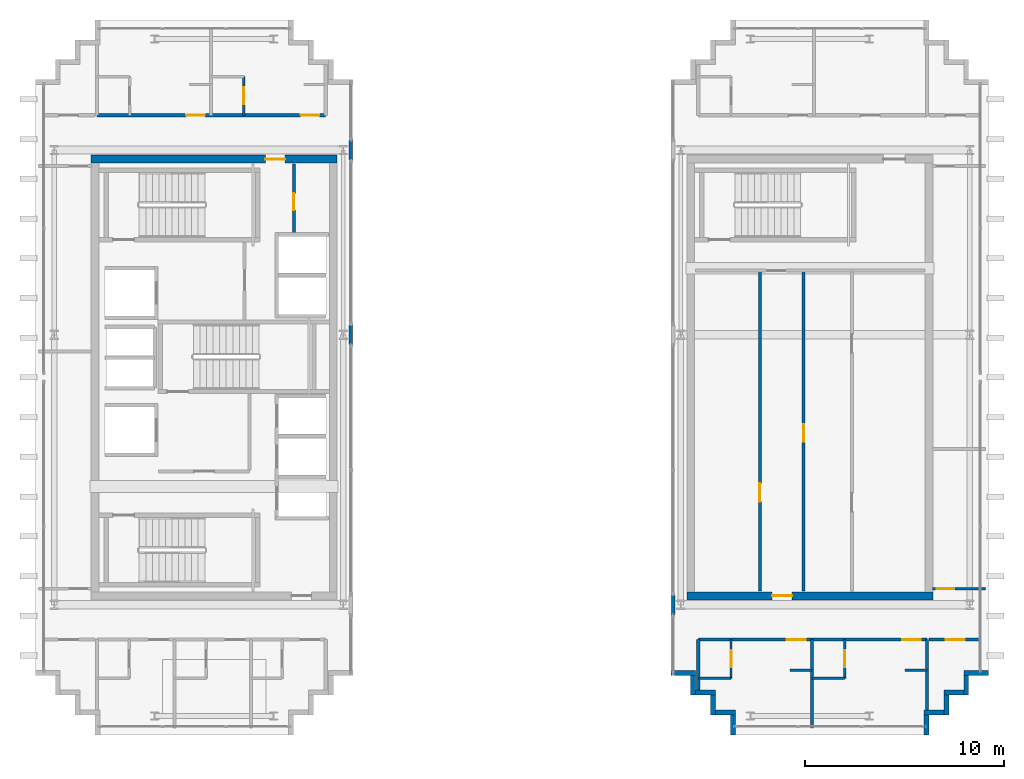
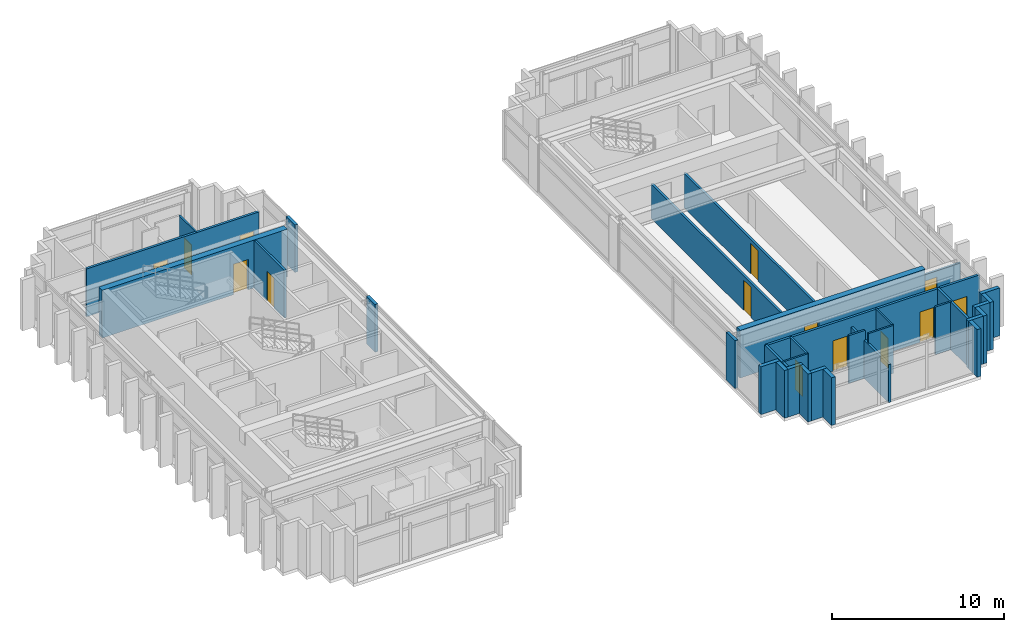
# One storey, part 21 of 25: 34 walls, 14 doors, 14 openings.
"""IFC4 building model written with IfcOpenShell, lengths in metres."""

from ifc_helpers import new_model, si_unit, direction, frame, frame_2d, origin, place, context, subcontext, project, spatial, rectangle, extrude, source, transform, mapped, material, layer, layer_set, type_object, element, fill, save


model = new_model("IFC4")

# Units and contexts
model_context = context("Model", 3, precision=1e-05, world=origin(), true_north=direction((0.0, 1.0)))
body_context = subcontext(model_context, "Body", "Model", "MODEL_VIEW")
ifc_project = project(units=[si_unit("LENGTHUNIT", "METRE"), si_unit("AREAUNIT", "SQUARE_METRE"), si_unit("VOLUMEUNIT", "CUBIC_METRE"), si_unit("PLANEANGLEUNIT", "RADIAN"), si_unit("MASSUNIT", "GRAM", prefix="KILO")], contexts=[model_context])

# Site, building, storey
site_placement = place(None, origin())
site = spatial("IfcSite", under=ifc_project, at=site_placement, CompositionType="ELEMENT")
building_placement = place(site_placement, origin())
building = spatial("IfcBuilding", under=site, at=building_placement, Name="Ocotamira Hotel", CompositionType="ELEMENT")
storey_placement = place(building_placement, frame((0.0, 0.0, 254.39990234375)))
storey = spatial("IfcBuildingStorey", under=building, at=storey_placement, Name="L64", CompositionType="ELEMENT", Elevation=254.39990234375)

# Wall, opening, door
ifc_material_1 = material(Name="Concrete C50/60", Category="concrete")
ifc_layer_1 = layer(ifc_material_1, 0.39990234375)
ifc_layer_set_1 = layer_set([ifc_layer_1], Name="Concrete C50/60")
wall_type_1 = type_object("IfcWallType", Name="WL-CORE-400", PredefinedType="SHEAR", material=ifc_layer_set_1)
wall_1_placement = place(storey_placement, frame((10.800048828125, 37.0, 0.0), z_axis=(0.0, 0.0, 1.0), x_axis=(1.0, 0.0, 0.0)))
wall_1 = element("IfcWall", 1, at=wall_1_placement, inside=storey, type_object=wall_type_1, Name="L64 Shear Core Wall WCORE-N", PredefinedType="SHEAR", context=body_context, shape_type="SweptSolid", body=[
    extrude(rectangle(XDim=12.39990234375, YDim=0.39990234375, at=frame_2d((6.199951171875, 0.0))), origin(), (0.0, 0.0, 1.0), 3.380126953125),
])
opening_1_placement = place(wall_1_placement, frame((8.780029296875, 0.0, 0.0)))
opening_1 = element("IfcOpeningElement", 2, at=opening_1_placement, cuts=wall_1, Name="Opening D-FR2", PredefinedType="OPENING", context=body_context, shape_type="SweptSolid", body=[
    extrude(rectangle(XDim=1.0, YDim=2.14990234375, at=frame_2d((0.5, 1.074951171875))), frame((0.0, 0.2099609375, 0.0), z_axis=(0.0, -1.0, 0.0), x_axis=(1.0, 0.0, 0.0)), (0.0, 0.0, 1.0), 0.419921875),
])
ifc_material_2 = material(Name="Fire-rated acoustic timber-veneer door", Category="wood")
door_type_1 = type_object("IfcDoorType", Name="DR-FIRE-1000", OperationType="NOTDEFINED", PredefinedType="DOOR", material=ifc_material_2)
shared_shape_1 = source(origin(), body_context, "Body", "SweptSolid", [
    extrude(rectangle(XDim=1.0, YDim=2.14990234375, at=frame_2d((0.5, 1.074951171875))), frame((0.0, 0.02490234375, 0.0), z_axis=(0.0, -1.0, 0.0), x_axis=(1.0, 0.0, 0.0)), (0.0, 0.0, 1.0), 0.050048828125),
])
door_1_placement = place(opening_1_placement, origin())
door_1 = element("IfcDoor", 3, at=door_1_placement, inside=storey, type_object=door_type_1, Name="L64 Door ID-L64-WLOB-N-D [ID-L64-WLOB-N-D]", OperationType="SINGLE_SWING_RIGHT", OverallHeight=2.14990234375, OverallWidth=1.0, PredefinedType="DOOR", context=body_context, shape_type="MappedRepresentation", body=[
    mapped(shared_shape_1, transform((0.0, 0.0, 0.0), scale=1.0)),
])
fill(opening_1, door_1)

wall_2_placement = place(storey_placement, frame((40.800048828125, 15.0, 0.0), z_axis=(0.0, 0.0, 1.0), x_axis=(1.0, 0.0, 0.0)))
wall_2 = element("IfcWall", 4, at=wall_2_placement, inside=storey, type_object=wall_type_1, Name="L64 Shear Core Wall ECORE-S", PredefinedType="SHEAR", context=body_context, shape_type="SweptSolid", body=[
    extrude(rectangle(XDim=12.39990234375, YDim=0.39990234375, at=frame_2d((6.199951171875, 0.0))), origin(), (0.0, 0.0, 1.0), 3.380126953125),
])
opening_2_placement = place(wall_2_placement, frame((4.300048828125, 0.0, 0.0)))
opening_2 = element("IfcOpeningElement", 5, at=opening_2_placement, cuts=wall_2, Name="Opening D-FR2", PredefinedType="OPENING", context=body_context, shape_type="SweptSolid", body=[
    extrude(rectangle(XDim=1.0, YDim=2.14990234375, at=frame_2d((0.5, 1.074951171875))), frame((0.0, 0.2099609375, 0.0), z_axis=(0.0, -1.0, 0.0), x_axis=(1.0, 0.0, 0.0)), (0.0, 0.0, 1.0), 0.419921875),
])
door_2_placement = place(opening_2_placement, origin())
door_2 = element("IfcDoor", 6, at=door_2_placement, inside=storey, type_object=door_type_1, Name="L64 Door ID-L64-ELOB-S-D [ID-L64-ELOB-S-D]", OperationType="SINGLE_SWING_RIGHT", OverallHeight=2.14990234375, OverallWidth=1.0, PredefinedType="DOOR", context=body_context, shape_type="MappedRepresentation", body=[
    mapped(shared_shape_1, transform((0.0, 0.0, 0.0), scale=1.0)),
])
fill(opening_2, door_2)

# Walls
ifc_material_3 = material(Name="Precast concrete C45/55", Category="concrete")
ifc_layer_2 = layer(ifc_material_3, 0.25)
ifc_layer_set_2 = layer_set([ifc_layer_2], Name="Precast concrete C45/55")
wall_type_2 = type_object("IfcWallType", Name="WL-EXT-SER-250", PredefinedType="SOLIDWALL", material=ifc_layer_set_2)
for number, where, z_axis, x_axis, name in (
    (7, (52.875, 8.0, 0.0), (0.0, 0.0, 1.0), (0.0, 1.0, 0.0), "L64 -E Serrated Corner Wall 01"),
    (8, (52.75, 9.125, 0.0), (0.0, 0.0, 1.0), (1.0, 0.0, 0.0), "L64 -E Serrated Corner Wall 02"),
    (9, (53.875, 9.0, 0.0), (0.0, 0.0, 1.0), (0.0, 1.0, 0.0), "L64 -E Serrated Corner Wall 03"),
    (10, (53.75, 10.125, 0.0), (0.0, 0.0, 1.0), (1.0, 0.0, 0.0), "L64 -E Serrated Corner Wall 04"),
    (11, (54.875, 10.0, 0.0), (0.0, 0.0, 1.0), (0.0, 1.0, 0.0), "L64 -E Serrated Corner Wall 05"),
):
    element("IfcWall", number, at=place(storey_placement, frame(where, z_axis=z_axis, x_axis=x_axis)), inside=storey, type_object=wall_type_2, Name=name, PredefinedType="SOLIDWALL", context=body_context, shape_type="SweptSolid", body=[
        extrude(rectangle(XDim=1.0, YDim=0.25, at=frame_2d((0.5, 0.0))), origin(), (0.0, 0.0, 1.0), 3.380126953125),
    ])
for number, where, z_axis, x_axis, name in (
    (12, (54.75, 11.125, 0.0), (0.0, 0.0, 1.0), (1.0, 0.0, 0.0), "L64 -E Serrated Corner Wall 06"),
    (13, (40.0, 11.125, 0.0), (0.0, 0.0, 1.0), (1.0, 0.0, 0.0), "L64 -E Serrated Corner Wall 19"),
):
    element("IfcWall", number, at=place(storey_placement, frame(where, z_axis=z_axis, x_axis=x_axis)), inside=storey, type_object=wall_type_2, Name=name, PredefinedType="SOLIDWALL", context=body_context, shape_type="SweptSolid", body=[
        extrude(rectangle(XDim=1.25, YDim=0.25, at=frame_2d((0.625, 0.0))), origin(), (0.0, 0.0, 1.0), 3.380126953125),
    ])
for number, where, z_axis, x_axis, name in (
    (14, (41.125, 11.0, 0.0), (0.0, 0.0, 1.0), (0.0, -1.0, 0.0), "L64 -E Serrated Corner Wall 20"),
    (15, (41.25, 10.125, 0.0), (0.0, 0.0, 1.0), (1.0, 0.0, 0.0), "L64 -E Serrated Corner Wall 21"),
    (16, (42.125, 10.0, 0.0), (0.0, 0.0, 1.0), (0.0, -1.0, 0.0), "L64 -E Serrated Corner Wall 22"),
    (17, (42.25, 9.125, 0.0), (0.0, 0.0, 1.0), (1.0, 0.0, 0.0), "L64 -E Serrated Corner Wall 23"),
    (18, (43.125, 9.0, 0.0), (0.0, 0.0, 1.0), (0.0, -1.0, 0.0), "L64 -E Serrated Corner Wall 24"),
):
    element("IfcWall", number, at=place(storey_placement, frame(where, z_axis=z_axis, x_axis=x_axis)), inside=storey, type_object=wall_type_2, Name=name, PredefinedType="SOLIDWALL", context=body_context, shape_type="SweptSolid", body=[
        extrude(rectangle(XDim=1.0, YDim=0.25, at=frame_2d((0.5, 0.0))), origin(), (0.0, 0.0, 1.0), 3.380126953125),
    ])

# Wall, openings, doors
ifc_material_4 = material(Name="Acoustic double-layer fire gypsum board partition", Category="gypsum")
ifc_layer_3 = layer(ifc_material_4, 0.159912109375)
ifc_layer_set_3 = layer_set([ifc_layer_3], Name="Acoustic double-layer fire gypsum board partition")
wall_type_3 = type_object("IfcWallType", Name="WL-FIRE-160", PredefinedType="PARTITIONING", material=ifc_layer_set_3)
wall_3_placement = place(storey_placement, frame((11.10009765625, 39.199951171875, 0.0), z_axis=(0.0, 0.0, 1.0), x_axis=(1.0, 0.0, 0.0)))
wall_3 = element("IfcWall", 19, at=wall_3_placement, inside=storey, type_object=wall_type_3, Name="L64 Interior Wall PW-L64-SPW0N-CORRW", PredefinedType="PARTITIONING", context=body_context, shape_type="SweptSolid", body=[
    extrude(rectangle(XDim=11.52001953125, YDim=0.159912109375, at=frame_2d((5.760009765625, 0.0))), origin(), (0.0, 0.0, 1.0), 3.380126953125),
])
opening_3_placement = place(wall_3_placement, frame((4.489990234375, 0.0, 0.0)))
opening_3 = element("IfcOpeningElement", 20, at=opening_3_placement, cuts=wall_3, Name="Opening D-GR1", PredefinedType="OPENING", context=body_context, shape_type="SweptSolid", body=[
    extrude(rectangle(XDim=0.93994140625, YDim=2.14990234375, at=frame_2d((0.469970703125, 1.074951171875))), frame((0.0, 0.08984375, 0.0), z_axis=(0.0, -1.0, 0.0), x_axis=(1.0, 0.0, 0.0)), (0.0, 0.0, 1.0), 0.179931640625),
])
opening_4_placement = place(wall_3_placement, frame((10.260009765625, 0.0, 0.0)))
opening_4 = element("IfcOpeningElement", 21, at=opening_4_placement, cuts=wall_3, Name="Opening D-GR1", PredefinedType="OPENING", context=body_context, shape_type="SweptSolid", body=[
    extrude(rectangle(XDim=0.93994140625, YDim=2.14990234375, at=frame_2d((0.469970703125, 1.074951171875))), frame((0.0, 0.08984375, 0.0), z_axis=(0.0, -1.0, 0.0), x_axis=(1.0, 0.0, 0.0)), (0.0, 0.0, 1.0), 0.179931640625),
])
ifc_material_5 = material(Name="Solid-core walnut suite entrance fire door", Category="wood")
door_type_2 = type_object("IfcDoorType", Name="DR-GUEST-940", OperationType="NOTDEFINED", PredefinedType="DOOR", material=ifc_material_5)
shared_shape_2 = source(origin(), body_context, "Body", "SweptSolid", [
    extrude(rectangle(XDim=0.93994140625, YDim=2.14990234375, at=frame_2d((0.469970703125, 1.074951171875))), frame((0.0, 0.02490234375, 0.0), z_axis=(0.0, -1.0, 0.0), x_axis=(1.0, 0.0, 0.0)), (0.0, 0.0, 1.0), 0.050048828125),
])
door_3_placement = place(opening_3_placement, origin())
door_3 = element("IfcDoor", 22, at=door_3_placement, inside=storey, type_object=door_type_2, Name="L64 Door ID-L64-SPW0N-RMD1 [ID-L64-SPW0N-RMD1]", OperationType="SINGLE_SWING_LEFT", OverallHeight=2.14990234375, OverallWidth=0.93994140625, PredefinedType="DOOR", context=body_context, shape_type="MappedRepresentation", body=[
    mapped(shared_shape_2, transform((0.0, 0.0, 0.0), scale=1.0)),
])
fill(opening_3, door_3)
door_4_placement = place(opening_4_placement, origin())
door_4 = element("IfcDoor", 23, at=door_4_placement, inside=storey, type_object=door_type_2, Name="L64 Door ID-L64-SPW0N-RMD2 [ID-L64-SPW0N-RMD2]", OperationType="SINGLE_SWING_RIGHT", OverallHeight=2.14990234375, OverallWidth=0.93994140625, PredefinedType="DOOR", context=body_context, shape_type="MappedRepresentation", body=[
    mapped(shared_shape_2, transform((0.0, 0.0, 0.0), scale=1.0)),
])
fill(opening_4, door_4)

wall_4_placement = place(storey_placement, frame((41.3798828125, 12.800048828125, 0.0), z_axis=(0.0, 0.0, 1.0), x_axis=(1.0, 0.0, 0.0)))
wall_4 = element("IfcWall", 24, at=wall_4_placement, inside=storey, type_object=wall_type_3, Name="L64 Interior Wall PW-L64-SPE0S-CORRW", PredefinedType="PARTITIONING", context=body_context, shape_type="SweptSolid", body=[
    extrude(rectangle(XDim=11.52001953125, YDim=0.159912109375, at=frame_2d((5.760009765625, 0.0))), origin(), (0.0, 0.0, 1.0), 3.380126953125),
])
opening_5_placement = place(wall_4_placement, frame((4.4599609375, 0.0, 0.0)))
opening_5 = element("IfcOpeningElement", 25, at=opening_5_placement, cuts=wall_4, Name="Opening D-GR1", PredefinedType="OPENING", context=body_context, shape_type="SweptSolid", body=[
    extrude(rectangle(XDim=0.93994140625, YDim=2.14990234375, at=frame_2d((0.469970703125, 1.074951171875))), frame((0.0, 0.08984375, 0.0), z_axis=(0.0, -1.0, 0.0), x_axis=(1.0, 0.0, 0.0)), (0.0, 0.0, 1.0), 0.179931640625),
])
opening_6_placement = place(wall_4_placement, frame((10.260009765625, 0.0, 0.0)))
opening_6 = element("IfcOpeningElement", 26, at=opening_6_placement, cuts=wall_4, Name="Opening D-GR1", PredefinedType="OPENING", context=body_context, shape_type="SweptSolid", body=[
    extrude(rectangle(XDim=0.93994140625, YDim=2.14990234375, at=frame_2d((0.469970703125, 1.074951171875))), frame((0.0, 0.08984375, 0.0), z_axis=(0.0, -1.0, 0.0), x_axis=(1.0, 0.0, 0.0)), (0.0, 0.0, 1.0), 0.179931640625),
])
door_5_placement = place(opening_5_placement, origin())
door_5 = element("IfcDoor", 27, at=door_5_placement, inside=storey, type_object=door_type_2, Name="L64 Door ID-L64-SPE0S-RMD1 [ID-L64-SPE0S-RMD1]", OperationType="SINGLE_SWING_LEFT", OverallHeight=2.14990234375, OverallWidth=0.93994140625, PredefinedType="DOOR", context=body_context, shape_type="MappedRepresentation", body=[
    mapped(shared_shape_2, transform((0.0, 0.0, 0.0), scale=1.0)),
])
fill(opening_5, door_5)
door_6_placement = place(opening_6_placement, origin())
door_6 = element("IfcDoor", 28, at=door_6_placement, inside=storey, type_object=door_type_2, Name="L64 Door ID-L64-SPE0S-RMD2 [ID-L64-SPE0S-RMD2]", OperationType="SINGLE_SWING_RIGHT", OverallHeight=2.14990234375, OverallWidth=0.93994140625, PredefinedType="DOOR", context=body_context, shape_type="MappedRepresentation", body=[
    mapped(shared_shape_2, transform((0.0, 0.0, 0.0), scale=1.0)),
])
fill(opening_6, door_6)

# Wall, opening, door
wall_5_placement = place(storey_placement, frame((53.0, 12.800048828125, 0.0), z_axis=(0.0, 0.0, 1.0), x_axis=(1.0, 0.0, 0.0)))
wall_5 = element("IfcWall", 29, at=wall_5_placement, inside=storey, type_object=wall_type_3, Name="L64 Interior Wall PW-L64-SPCSE0-CW", PredefinedType="PARTITIONING", context=body_context, shape_type="SweptSolid", body=[
    extrude(rectangle(XDim=2.64990234375, YDim=0.159912109375, at=frame_2d((1.324951171875, 0.0))), origin(), (0.0, 0.0, 1.0), 3.380126953125),
])
opening_7_placement = place(wall_5_placement, frame((0.844970703125, 0.0, 0.0)))
opening_7 = element("IfcOpeningElement", 30, at=opening_7_placement, cuts=wall_5, Name="Opening D-SV4", PredefinedType="OPENING", context=body_context, shape_type="SweptSolid", body=[
    extrude(rectangle(XDim=0.9599609375, YDim=2.14990234375, at=frame_2d((0.47998046875, 1.074951171875))), frame((0.0, 0.08984375, 0.0), z_axis=(0.0, -1.0, 0.0), x_axis=(1.0, 0.0, 0.0)), (0.0, 0.0, 1.0), 0.179931640625),
])
ifc_material_6 = material(Name="Fire-rated accessible walnut salon door", Category="wood")
door_type_3 = type_object("IfcDoorType", Name="DR-SERV-960", OperationType="NOTDEFINED", PredefinedType="DOOR", material=ifc_material_6)
shared_shape_3 = source(origin(), body_context, "Body", "SweptSolid", [
    extrude(rectangle(XDim=0.9599609375, YDim=2.14990234375, at=frame_2d((0.47998046875, 1.074951171875))), frame((0.0, 0.02490234375, 0.0), z_axis=(0.0, -1.0, 0.0), x_axis=(1.0, 0.0, 0.0)), (0.0, 0.0, 1.0), 0.050048828125),
])
door_7_placement = place(opening_7_placement, origin())
door_7 = element("IfcDoor", 31, at=door_7_placement, inside=storey, type_object=door_type_3, Name="L64 Door ID-L64-SPCSE0-CD [ID-L64-SPCSE0-CD]", OperationType="SINGLE_SWING_LEFT", OverallHeight=2.14990234375, OverallWidth=0.9599609375, PredefinedType="DOOR", context=body_context, shape_type="MappedRepresentation", body=[
    mapped(shared_shape_3, transform((0.0, 0.0, 0.0), scale=1.0)),
])
fill(opening_7, door_7)

# Walls
ifc_layer_4 = layer(ifc_material_3, 0.219970703125)
ifc_layer_set_4 = layer_set([ifc_layer_4], Name="Precast concrete C45/55")
wall_type_4 = type_object("IfcWallType", Name="WL-PARA-220", PredefinedType="PARAPET", material=ifc_layer_set_4)
for number, where, z_axis, x_axis, name in (
    (32, (23.8798828125, 27.64990234375, 0.0), (0.0, 0.0, 1.0), (0.0, 1.0, 0.0), "L64 Split-Wing Column Spandrel Closure W2"),
    (33, (23.8798828125, 36.949951171875, 0.0), (0.0, 0.0, 1.0), (0.0, 1.0, 0.0), "L64 Split-Wing Column Spandrel Closure W3"),
    (34, (40.1201171875, 14.050048828125, 0.0), (0.0, 0.0, 1.0), (0.0, 1.0, 0.0), "L64 Split-Wing Column Spandrel Closure E1"),
):
    element("IfcWall", number, at=place(storey_placement, frame(where, z_axis=z_axis, x_axis=x_axis)), inside=storey, type_object=wall_type_4, Name=name, PredefinedType="PARAPET", context=body_context, shape_type="SweptSolid", body=[
        extrude(rectangle(XDim=1.0, YDim=0.199951171875, at=frame_2d((0.5, 0.0))), origin(), (0.0, 0.0, 1.0), 3.380126953125),
    ])

# Wall, opening, door
ifc_material_7 = material(Name="Moisture-resistant en-suite tile and gypsum partition", Category="gypsum")
ifc_layer_5 = layer(ifc_material_7, 0.1201171875)
ifc_layer_set_5 = layer_set([ifc_layer_5], Name="Moisture-resistant en-suite tile and gypsum partition")
wall_type_5 = type_object("IfcWallType", Name="WL-PART-120", PredefinedType="PARTITIONING", material=ifc_layer_set_5)
wall_6_placement = place(storey_placement, frame((18.5, 39.199951171875, 0.0), z_axis=(0.0, 0.0, 1.0), x_axis=(0.0, 1.0, 0.0)))
wall_6 = element("IfcWall", 35, at=wall_6_placement, inside=storey, type_object=wall_type_5, Name="L64 Interior Wall PW-L64-SPW0N-BAE2", PredefinedType="PARTITIONING", context=body_context, shape_type="SweptSolid", body=[
    extrude(rectangle(XDim=1.949951171875, YDim=0.1201171875, at=frame_2d((0.97509765625, 0.0))), origin(), (0.0, 0.0, 1.0), 3.380126953125),
])
opening_8_placement = place(wall_6_placement, frame((0.544921875, 0.0, 0.0)))
opening_8 = element("IfcOpeningElement", 36, at=opening_8_placement, cuts=wall_6, Name="Opening D-BA1", PredefinedType="OPENING", context=body_context, shape_type="SweptSolid", body=[
    extrude(rectangle(XDim=0.860107421875, YDim=2.10009765625, at=frame_2d((0.43017578125, 1.050048828125))), frame((0.0, 0.070068359375, 0.0), z_axis=(0.0, -1.0, 0.0), x_axis=(1.0, 0.0, 0.0)), (0.0, 0.0, 1.0), 0.14013671875),
])
ifc_material_8 = material(Name="Moisture-sealed en-suite timber door", Category="wood")
door_type_4 = type_object("IfcDoorType", Name="DR-BATH-860", OperationType="NOTDEFINED", PredefinedType="DOOR", material=ifc_material_8)
shared_shape_4 = source(origin(), body_context, "Body", "SweptSolid", [
    extrude(rectangle(XDim=0.860107421875, YDim=2.10009765625, at=frame_2d((0.43017578125, 1.050048828125))), frame((0.0, 0.02490234375, 0.0), z_axis=(0.0, -1.0, 0.0), x_axis=(1.0, 0.0, 0.0)), (0.0, 0.0, 1.0), 0.050048828125),
])
door_8_placement = place(opening_8_placement, origin())
door_8 = element("IfcDoor", 37, at=door_8_placement, inside=storey, type_object=door_type_4, Name="L64 Door ID-L64-SPW0N-BAD2 [ID-L64-SPW0N-BAD2]", OperationType="SINGLE_SWING_LEFT", OverallHeight=2.10009765625, OverallWidth=0.860107421875, PredefinedType="DOOR", context=body_context, shape_type="MappedRepresentation", body=[
    mapped(shared_shape_4, transform((0.0, 0.0, 0.0), scale=1.0)),
])
fill(opening_8, door_8)

wall_7_placement = place(storey_placement, frame((43.030029296875, 10.85009765625, 0.0), z_axis=(0.0, 0.0, 1.0), x_axis=(0.0, 1.0, 0.0)))
wall_7 = element("IfcWall", 38, at=wall_7_placement, inside=storey, type_object=wall_type_5, Name="L64 Interior Wall PW-L64-SPE0S-BAE1", PredefinedType="PARTITIONING", context=body_context, shape_type="SweptSolid", body=[
    extrude(rectangle(XDim=1.949951171875, YDim=0.1201171875, at=frame_2d((0.97509765625, 0.0))), origin(), (0.0, 0.0, 1.0), 3.380126953125),
])
opening_9_placement = place(wall_7_placement, frame((0.544921875, 0.0, 0.0)))
opening_9 = element("IfcOpeningElement", 39, at=opening_9_placement, cuts=wall_7, Name="Opening D-BA1", PredefinedType="OPENING", context=body_context, shape_type="SweptSolid", body=[
    extrude(rectangle(XDim=0.860107421875, YDim=2.10009765625, at=frame_2d((0.43017578125, 1.050048828125))), frame((0.0, 0.070068359375, 0.0), z_axis=(0.0, -1.0, 0.0), x_axis=(1.0, 0.0, 0.0)), (0.0, 0.0, 1.0), 0.14013671875),
])
door_9_placement = place(opening_9_placement, origin())
door_9 = element("IfcDoor", 40, at=door_9_placement, inside=storey, type_object=door_type_4, Name="L64 Door ID-L64-SPE0S-BAD1 [ID-L64-SPE0S-BAD1]", OperationType="SINGLE_SWING_RIGHT", OverallHeight=2.10009765625, OverallWidth=0.860107421875, PredefinedType="DOOR", context=body_context, shape_type="MappedRepresentation", body=[
    mapped(shared_shape_4, transform((0.0, 0.0, 0.0), scale=1.0)),
])
fill(opening_9, door_9)

# Walls
wall_8_placement = place(storey_placement, frame((41.3798828125, 10.85009765625, 0.0), z_axis=(0.0, 0.0, 1.0), x_axis=(1.0, 0.0, 0.0)))
element("IfcWall", 41, at=wall_8_placement, inside=storey, type_object=wall_type_5, Name="L64 Interior Wall PW-L64-SPE0S-BAS1", PredefinedType="PARTITIONING", context=body_context, shape_type="SweptSolid", body=[
    extrude(rectangle(XDim=1.650146484375, YDim=0.1201171875, at=frame_2d((0.8251953125, 0.0))), origin(), (0.0, 0.0, 1.0), 3.380126953125),
])
wall_9_placement = place(storey_placement, frame((46.0, 11.25, 0.0), z_axis=(0.0, 0.0, 1.0), x_axis=(1.0, 0.0, 0.0)))
element("IfcWall", 42, at=wall_9_placement, inside=storey, type_object=wall_type_5, Name="L64 Interior Wall PW-L64-SPE0S-DRN1", PredefinedType="PARTITIONING", context=body_context, shape_type="SweptSolid", body=[
    extrude(rectangle(XDim=1.10009765625, YDim=0.1201171875, at=frame_2d((0.550048828125, 0.0))), origin(), (0.0, 0.0, 1.0), 3.380126953125),
])

# Wall, opening, door
wall_10_placement = place(storey_placement, frame((48.75, 10.85009765625, 0.0), z_axis=(0.0, 0.0, 1.0), x_axis=(0.0, 1.0, 0.0)))
wall_10 = element("IfcWall", 43, at=wall_10_placement, inside=storey, type_object=wall_type_5, Name="L64 Interior Wall PW-L64-SPE0S-BAE2", PredefinedType="PARTITIONING", context=body_context, shape_type="SweptSolid", body=[
    extrude(rectangle(XDim=1.949951171875, YDim=0.1201171875, at=frame_2d((0.97509765625, 0.0))), origin(), (0.0, 0.0, 1.0), 3.380126953125),
])
opening_10_placement = place(wall_10_placement, frame((0.544921875, 0.0, 0.0)))
opening_10 = element("IfcOpeningElement", 44, at=opening_10_placement, cuts=wall_10, Name="Opening D-BA1", PredefinedType="OPENING", context=body_context, shape_type="SweptSolid", body=[
    extrude(rectangle(XDim=0.860107421875, YDim=2.10009765625, at=frame_2d((0.43017578125, 1.050048828125))), frame((0.0, 0.070068359375, 0.0), z_axis=(0.0, -1.0, 0.0), x_axis=(1.0, 0.0, 0.0)), (0.0, 0.0, 1.0), 0.14013671875),
])
door_10_placement = place(opening_10_placement, origin())
door_10 = element("IfcDoor", 45, at=door_10_placement, inside=storey, type_object=door_type_4, Name="L64 Door ID-L64-SPE0S-BAD2 [ID-L64-SPE0S-BAD2]", OperationType="SINGLE_SWING_LEFT", OverallHeight=2.10009765625, OverallWidth=0.860107421875, PredefinedType="DOOR", context=body_context, shape_type="MappedRepresentation", body=[
    mapped(shared_shape_4, transform((0.0, 0.0, 0.0), scale=1.0)),
])
fill(opening_10, door_10)

# Walls
wall_11_placement = place(storey_placement, frame((47.10009765625, 10.85009765625, 0.0), z_axis=(0.0, 0.0, 1.0), x_axis=(1.0, 0.0, 0.0)))
element("IfcWall", 46, at=wall_11_placement, inside=storey, type_object=wall_type_5, Name="L64 Interior Wall PW-L64-SPE0S-BAS2", PredefinedType="PARTITIONING", context=body_context, shape_type="SweptSolid", body=[
    extrude(rectangle(XDim=1.64990234375, YDim=0.1201171875, at=frame_2d((0.824951171875, 0.0))), origin(), (0.0, 0.0, 1.0), 3.380126953125),
])
wall_12_placement = place(storey_placement, frame((51.800048828125, 11.25, 0.0), z_axis=(0.0, 0.0, 1.0), x_axis=(1.0, 0.0, 0.0)))
element("IfcWall", 47, at=wall_12_placement, inside=storey, type_object=wall_type_5, Name="L64 Interior Wall PW-L64-SPE0S-DRN2", PredefinedType="PARTITIONING", context=body_context, shape_type="SweptSolid", body=[
    extrude(rectangle(XDim=1.099853515625, YDim=0.1201171875, at=frame_2d((0.5498046875, 0.0))), origin(), (0.0, 0.0, 1.0), 3.380126953125),
])

# Wall, opening, door
ifc_material_9 = material(Name="Acoustic hospitality gypsum board partition", Category="gypsum")
ifc_layer_6 = layer(ifc_material_9, 0.14208984375)
ifc_layer_set_6 = layer_set([ifc_layer_6], Name="Acoustic hospitality gypsum board partition")
wall_type_6 = type_object("IfcWallType", Name="WL-PART-142", PredefinedType="PARTITIONING", material=ifc_layer_set_6)
wall_13_placement = place(storey_placement, frame((21.02001953125, 33.280029296875, 0.0), z_axis=(0.0, 0.0, 1.0), x_axis=(0.0, 1.0, 0.0)))
wall_13 = element("IfcWall", 48, at=wall_13_placement, inside=storey, type_object=wall_type_6, Name="L64 Interior Wall PW-L64-WC-NE-W", PredefinedType="PARTITIONING", context=body_context, shape_type="SweptSolid", body=[
    extrude(rectangle(XDim=3.469970703125, YDim=0.14208984375, at=frame_2d((1.73486328125, 0.0))), origin(), (0.0, 0.0, 1.0), 3.380126953125),
])
opening_11_placement = place(wall_13_placement, frame((1.14990234375, 0.0, 0.0)))
opening_11 = element("IfcOpeningElement", 49, at=opening_11_placement, cuts=wall_13, Name="Opening D-SV1", PredefinedType="OPENING", context=body_context, shape_type="SweptSolid", body=[
    extrude(rectangle(XDim=0.840087890625, YDim=2.10009765625, at=frame_2d((0.419921875, 1.050048828125))), frame((0.0, 0.0810546875, 0.0), z_axis=(0.0, -1.0, 0.0), x_axis=(1.0, 0.0, 0.0)), (0.0, 0.0, 1.0), 0.162109375),
])
ifc_material_10 = material(Name="Fire-rated painted steel service door", Category="steel")
door_type_5 = type_object("IfcDoorType", Name="DR-SERV-840", OperationType="NOTDEFINED", PredefinedType="DOOR", material=ifc_material_10)
shared_shape_5 = source(origin(), body_context, "Body", "SweptSolid", [
    extrude(rectangle(XDim=0.840087890625, YDim=2.10009765625, at=frame_2d((0.419921875, 1.050048828125))), frame((0.0, 0.02490234375, 0.0), z_axis=(0.0, -1.0, 0.0), x_axis=(1.0, 0.0, 0.0)), (0.0, 0.0, 1.0), 0.050048828125),
])
door_11_placement = place(opening_11_placement, origin())
door_11 = element("IfcDoor", 50, at=door_11_placement, inside=storey, type_object=door_type_5, Name="L64 Door ID-L64-WC-NE-D [ID-L64-WC-NE-D]", OperationType="SINGLE_SWING_LEFT", OverallHeight=2.10009765625, OverallWidth=0.840087890625, PredefinedType="DOOR", context=body_context, shape_type="MappedRepresentation", body=[
    mapped(shared_shape_5, transform((0.0, 0.0, 0.0), scale=1.0)),
])
fill(opening_11, door_11)

ifc_layer_7 = layer(ifc_material_9, 0.14990234375)
ifc_layer_set_7 = layer_set([ifc_layer_7], Name="Acoustic hospitality gypsum board partition")
wall_type_7 = type_object("IfcWallType", Name="WL-PART-150", PredefinedType="PARTITIONING", material=ifc_layer_set_7)
wall_14_placement = place(storey_placement, frame((46.679931640625, 15.25, 0.0), z_axis=(0.0, 0.0, 1.0), x_axis=(0.0, 1.0, 0.0)))
wall_14 = element("IfcWall", 51, at=wall_14_placement, inside=storey, type_object=wall_type_7, Name="L64 Interior Wall PW-L64-EC-HMT-W", PredefinedType="PARTITIONING", context=body_context, shape_type="SweptSolid", body=[
    extrude(rectangle(XDim=16.1298828125, YDim=0.14990234375, at=frame_2d((8.06494140625, 0.0))), origin(), (0.0, 0.0, 1.0), 2.453125),
])
opening_12_placement = place(wall_14_placement, frame((7.5, 0.0, 0.0)))
opening_12 = element("IfcOpeningElement", 52, at=opening_12_placement, cuts=wall_14, Name="Opening D-IN3", PredefinedType="OPENING", context=body_context, shape_type="SweptSolid", body=[
    extrude(rectangle(XDim=0.89990234375, YDim=2.14990234375, at=frame_2d((0.449951171875, 1.074951171875))), frame((0.0, 0.0849609375, 0.0), z_axis=(0.0, -1.0, 0.0), x_axis=(1.0, 0.0, 0.0)), (0.0, 0.0, 1.0), 0.169921875),
])
ifc_material_11 = material(Name="Painted service room door", Category="steel")
door_type_6 = type_object("IfcDoorType", Name="DR-INT-900", OperationType="NOTDEFINED", PredefinedType="DOOR", material=ifc_material_11)
shared_shape_6 = source(origin(), body_context, "Body", "SweptSolid", [
    extrude(rectangle(XDim=0.89990234375, YDim=2.14990234375, at=frame_2d((0.449951171875, 1.074951171875))), frame((0.0, 0.02490234375, 0.0), z_axis=(0.0, -1.0, 0.0), x_axis=(1.0, 0.0, 0.0)), (0.0, 0.0, 1.0), 0.050048828125),
])
door_12_placement = place(opening_12_placement, origin())
door_12 = element("IfcDoor", 53, at=door_12_placement, inside=storey, type_object=door_type_6, Name="L64 Door ID-L64-EC-HMTD [ID-L64-EC-HMTD]", OperationType="SINGLE_SWING_RIGHT", OverallHeight=2.14990234375, OverallWidth=0.89990234375, PredefinedType="DOOR", context=body_context, shape_type="MappedRepresentation", body=[
    mapped(shared_shape_6, transform((0.0, 0.0, 0.0), scale=1.0)),
])
fill(opening_12, door_12)

wall_15_placement = place(storey_placement, frame((44.47998046875, 15.25, 0.0), z_axis=(0.0, 0.0, 1.0), x_axis=(0.0, 1.0, 0.0)))
wall_15 = element("IfcWall", 54, at=wall_15_placement, inside=storey, type_object=wall_type_7, Name="L64 Interior Wall PW-L64-EC-FMID-E", PredefinedType="PARTITIONING", context=body_context, shape_type="SweptSolid", body=[
    extrude(rectangle(XDim=16.1298828125, YDim=0.14990234375, at=frame_2d((8.06494140625, 0.0))), origin(), (0.0, 0.0, 1.0), 2.453125),
])
opening_13_placement = place(wall_15_placement, frame((4.5, 0.0, 0.0)))
opening_13 = element("IfcOpeningElement", 55, at=opening_13_placement, cuts=wall_15, Name="Opening D-SV3", PredefinedType="OPENING", context=body_context, shape_type="SweptSolid", body=[
    extrude(rectangle(XDim=0.919921875, YDim=2.14990234375, at=frame_2d((0.4599609375, 1.074951171875))), frame((0.0, 0.0849609375, 0.0), z_axis=(0.0, -1.0, 0.0), x_axis=(1.0, 0.0, 0.0)), (0.0, 0.0, 1.0), 0.169921875),
])
ifc_material_12 = material(Name="Fire-rated walnut hospitality door", Category="wood")
door_type_7 = type_object("IfcDoorType", Name="DR-SERV-920", OperationType="NOTDEFINED", PredefinedType="DOOR", material=ifc_material_12)
shared_shape_7 = source(origin(), body_context, "Body", "SweptSolid", [
    extrude(rectangle(XDim=0.919921875, YDim=2.14990234375, at=frame_2d((0.4599609375, 1.074951171875))), frame((0.0, 0.02490234375, 0.0), z_axis=(0.0, -1.0, 0.0), x_axis=(1.0, 0.0, 0.0)), (0.0, 0.0, 1.0), 0.050048828125),
])
door_13_placement = place(opening_13_placement, origin())
door_13 = element("IfcDoor", 56, at=door_13_placement, inside=storey, type_object=door_type_7, Name="L64 Door ID-L64-EC-FMID-D1 [ID-L64-EC-FMID-D1]", OperationType="SINGLE_SWING_RIGHT", OverallHeight=2.14990234375, OverallWidth=0.919921875, PredefinedType="DOOR", context=body_context, shape_type="MappedRepresentation", body=[
    mapped(shared_shape_7, transform((0.0, 0.0, 0.0), scale=1.0)),
])
fill(opening_13, door_13)

wall_16_placement = place(storey_placement, frame((53.179931640625, 15.360107421875, 0.0), z_axis=(0.0, 0.0, 1.0), x_axis=(1.0, 0.0, 0.0)))
wall_16 = element("IfcWall", 57, at=wall_16_placement, inside=storey, type_object=wall_type_7, Name="L64 Interior Wall PW-L64-SP0E-WS", PredefinedType="PARTITIONING", context=body_context, shape_type="SweptSolid", body=[
    extrude(rectangle(XDim=2.66015625, YDim=0.14990234375, at=frame_2d((1.330078125, 0.0))), origin(), (0.0, 0.0, 1.0), 2.60107421875),
])
opening_14_placement = place(wall_16_placement, frame((0.199951171875, 0.0, 0.0)))
opening_14 = element("IfcOpeningElement", 58, at=opening_14_placement, cuts=wall_16, Name="Opening D-SV2", PredefinedType="OPENING", context=body_context, shape_type="SweptSolid", body=[
    extrude(rectangle(XDim=0.8798828125, YDim=2.14990234375, at=frame_2d((0.43994140625, 1.074951171875))), frame((0.0, 0.0849609375, 0.0), z_axis=(0.0, -1.0, 0.0), x_axis=(1.0, 0.0, 0.0)), (0.0, 0.0, 1.0), 0.169921875),
])
door_type_8 = type_object("IfcDoorType", Name="DR-SERV-880", OperationType="NOTDEFINED", PredefinedType="DOOR", material=ifc_material_10)
shared_shape_8 = source(origin(), body_context, "Body", "SweptSolid", [
    extrude(rectangle(XDim=0.8798828125, YDim=2.14990234375, at=frame_2d((0.43994140625, 1.074951171875))), frame((0.0, 0.02490234375, 0.0), z_axis=(0.0, -1.0, 0.0), x_axis=(1.0, 0.0, 0.0)), (0.0, 0.0, 1.0), 0.050048828125),
])
door_14_placement = place(opening_14_placement, origin())
door_14 = element("IfcDoor", 59, at=door_14_placement, inside=storey, type_object=door_type_8, Name="L64 Door ID-L64-SP0E-DS [ID-L64-SP0E-DS]", OperationType="SINGLE_SWING_RIGHT", OverallHeight=2.14990234375, OverallWidth=0.8798828125, PredefinedType="DOOR", context=body_context, shape_type="MappedRepresentation", body=[
    mapped(shared_shape_8, transform((0.0, 0.0, 0.0), scale=1.0)),
])
fill(opening_14, door_14)

# Walls
ifc_material_13 = material(Name="Acoustic double-stud hospitality gypsum partition", Category="gypsum")
ifc_layer_8 = layer(ifc_material_13, 0.159912109375)
ifc_layer_set_8 = layer_set([ifc_layer_8], Name="Acoustic double-stud hospitality gypsum partition")
wall_type_8 = type_object("IfcWallType", Name="WL-PART-160", PredefinedType="PARTITIONING", material=ifc_layer_set_8)
wall_17_placement = place(storey_placement, frame((41.3798828125, 10.260009765625, 0.0), z_axis=(0.0, 0.0, 1.0), x_axis=(0.0, 1.0, 0.0)))
element("IfcWall", 60, at=wall_17_placement, inside=storey, type_object=wall_type_8, Name="L64 Interior Wall PW-L64-SPE0S-PW0", PredefinedType="PARTITIONING", context=body_context, shape_type="SweptSolid", body=[
    extrude(rectangle(XDim=2.5400390625, YDim=0.159912109375, at=frame_2d((1.27001953125, 0.0))), origin(), (0.0, 0.0, 1.0), 3.380126953125),
])
wall_18_placement = place(storey_placement, frame((52.89990234375, 9.260009765625, 0.0), z_axis=(0.0, 0.0, 1.0), x_axis=(0.0, 1.0, 0.0)))
element("IfcWall", 61, at=wall_18_placement, inside=storey, type_object=wall_type_8, Name="L64 Interior Wall PW-L64-SPE0S-PWEND", PredefinedType="PARTITIONING", context=body_context, shape_type="SweptSolid", body=[
    extrude(rectangle(XDim=3.5400390625, YDim=0.159912109375, at=frame_2d((1.77001953125, 0.0))), origin(), (0.0, 0.0, 1.0), 3.380126953125),
])
wall_19_placement = place(storey_placement, frame((47.10009765625, 8.360107421875, 0.0), z_axis=(0.0, 0.0, 1.0), x_axis=(0.0, 1.0, 0.0)))
element("IfcWall", 62, at=wall_19_placement, inside=storey, type_object=wall_type_8, Name="L64 Interior Wall PW-L64-SPE0S-PW1", PredefinedType="PARTITIONING", context=body_context, shape_type="SweptSolid", body=[
    extrude(rectangle(XDim=4.43994140625, YDim=0.159912109375, at=frame_2d((2.219970703125, 0.0))), origin(), (0.0, 0.0, 1.0), 2.68701171875),
])

save(model, "model.ifc")
